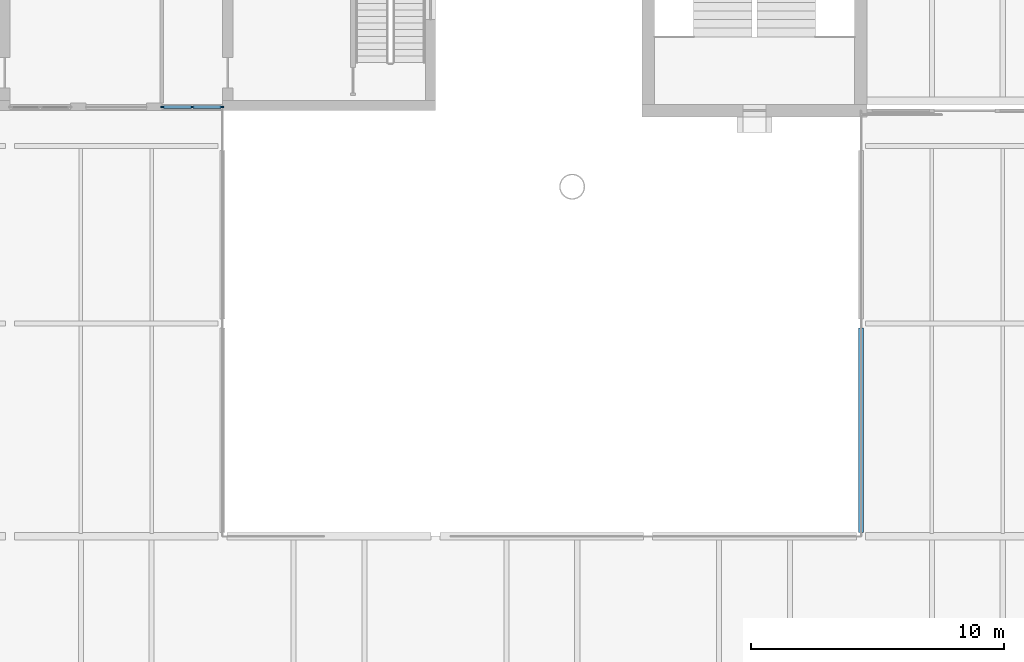
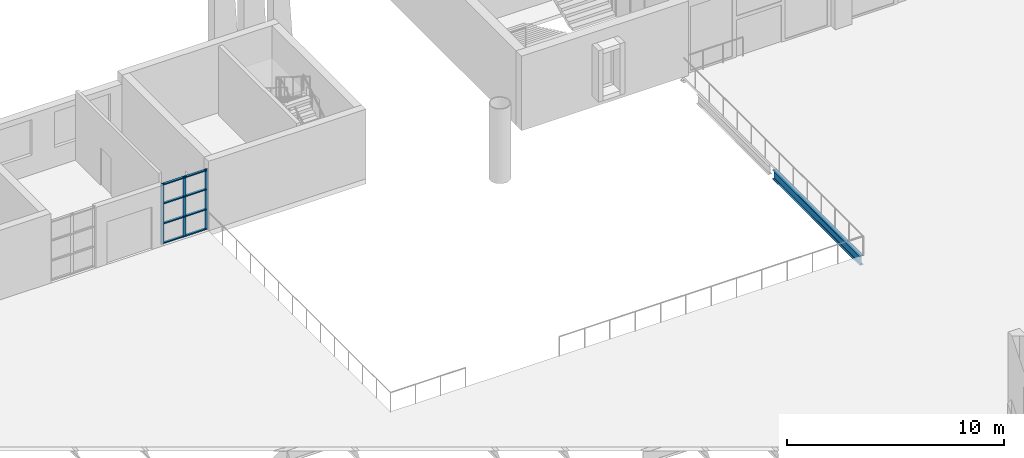
# One storey, part 22 of 96: 11 members, 1 beam, 1 element without a shape of its own.
"""IFC4 building model written with IfcOpenShell, lengths in metres."""

from ifc_helpers import new_model, si_unit, direction, frame, origin, origin_2d, place, context, subcontext, project, spatial, rectangle, i_section, extrude, material, material_profile, profile_set, type_object, element, aggregate, save


model = new_model("IFC4")

# Units and contexts
model_context = context("Model", 3, precision=1e-05, world=origin(), true_north=direction((0.0, 1.0)))
body_context = subcontext(model_context, "Body", "Model", "MODEL_VIEW")
ifc_project = project(units=[si_unit("LENGTHUNIT", "METRE"), si_unit("AREAUNIT", "SQUARE_METRE"), si_unit("VOLUMEUNIT", "CUBIC_METRE"), si_unit("PLANEANGLEUNIT", "RADIAN"), si_unit("MASSUNIT", "GRAM", prefix="KILO")], contexts=[model_context])

# Site, building, storey
site_placement = place(None, origin())
site = spatial("IfcSite", under=ifc_project, at=site_placement, CompositionType="ELEMENT")
building_placement = place(site_placement, origin())
building = spatial("IfcBuilding", under=site, at=building_placement, Name="Cresset Court Congress Hotel", CompositionType="ELEMENT")
storey_placement = place(building_placement, frame((0.0, 0.0, 6.0)))
storey = spatial("IfcBuildingStorey", under=building, at=storey_placement, Name="L01", CompositionType="ELEMENT", Elevation=6.0)

# Curtain wall, members
ifc_material_1 = material(Name="Aluminium frame with insulated glass", Category="aluminium")
curtain_wall_type = type_object("IfcCurtainWallType", Name="Curtain wall module 1200", PredefinedType="NOTDEFINED", material=ifc_material_1)
curtain_wall_placement = place(storey_placement, origin())
curtain_wall = element("IfcCurtainWall", 1, at=curtain_wall_placement, inside=storey, type_object=curtain_wall_type, Name="Curtain wall E2", PredefinedType="NOTDEFINED")
ifc_material_2 = material(Name="Aluminium", Category="aluminium")
ifc_material_profile_1 = material_profile(ifc_material_2, rectangle(XDim=0.1201171875, YDim=0.06005859375, at=origin_2d()), Name="AL 120x60")
ifc_profile_set_1 = profile_set([ifc_material_profile_1], Name="Aluminium")
member_type_1 = type_object("IfcMemberType", Name="CW transom RECT 120x60", PredefinedType="USERDEFINED", material=ifc_profile_set_1)
member_1_placement = place(storey_placement, frame((39.659912109375, 58.949951171875, 0.06005859375), z_axis=(1.0, 0.0, 0.0), x_axis=(0.0, 1.0, 0.0)))
member_1 = element("IfcMember", 2, at=member_1_placement, type_object=member_type_1, Name="D-X1 transom 1.1", ObjectType="TRANSOM", PredefinedType="USERDEFINED", context=body_context, shape_type="SweptSolid", body=[
    extrude(rectangle(XDim=0.1201171875, YDim=0.06005859375, at=origin_2d()), origin(), (0.0, 0.0, 1.0), 1.110107421875),
])
member_2_placement = place(storey_placement, frame((39.659912109375, 58.949951171875, 1.1630859375), z_axis=(1.0, 0.0, 0.0), x_axis=(0.0, 1.0, 0.0)))
member_2 = element("IfcMember", 3, at=member_2_placement, type_object=member_type_1, Name="D-X1 transom 1.2", ObjectType="TRANSOM", PredefinedType="USERDEFINED", context=body_context, shape_type="SweptSolid", body=[
    extrude(rectangle(XDim=0.1201171875, YDim=0.06005859375, at=origin_2d()), origin(), (0.0, 0.0, 1.0), 1.110107421875),
])
member_3_placement = place(storey_placement, frame((39.659912109375, 58.949951171875, 2.291015625), z_axis=(1.0, 0.0, 0.0), x_axis=(0.0, 1.0, 0.0)))
member_3 = element("IfcMember", 4, at=member_3_placement, type_object=member_type_1, Name="D-X1 transom 1.3", ObjectType="TRANSOM", PredefinedType="USERDEFINED", context=body_context, shape_type="SweptSolid", body=[
    extrude(rectangle(XDim=0.1201171875, YDim=0.06005859375, at=origin_2d()), origin(), (0.0, 0.0, 1.0), 1.110107421875),
])
member_4_placement = place(storey_placement, frame((39.659912109375, 58.949951171875, 3.360107421875), z_axis=(1.0, 0.0, 0.0), x_axis=(0.0, 1.0, 0.0)))
member_4 = element("IfcMember", 5, at=member_4_placement, type_object=member_type_1, Name="D-X1 transom 1.4", ObjectType="TRANSOM", PredefinedType="USERDEFINED", context=body_context, shape_type="SweptSolid", body=[
    extrude(rectangle(XDim=0.1201171875, YDim=0.06005859375, at=origin_2d()), origin(), (0.0, 0.0, 1.0), 1.110107421875),
])
member_5_placement = place(storey_placement, frame((40.830078125, 58.949951171875, 0.06005859375), z_axis=(1.0, 0.0, 0.0), x_axis=(0.0, 1.0, 0.0)))
member_5 = element("IfcMember", 6, at=member_5_placement, type_object=member_type_1, Name="D-X1 transom 2.1", ObjectType="TRANSOM", PredefinedType="USERDEFINED", context=body_context, shape_type="SweptSolid", body=[
    extrude(rectangle(XDim=0.1201171875, YDim=0.06005859375, at=origin_2d()), origin(), (0.0, 0.0, 1.0), 1.10986328125),
])
member_6_placement = place(storey_placement, frame((40.830078125, 58.949951171875, 1.1630859375), z_axis=(1.0, 0.0, 0.0), x_axis=(0.0, 1.0, 0.0)))
member_6 = element("IfcMember", 7, at=member_6_placement, type_object=member_type_1, Name="D-X1 transom 2.2", ObjectType="TRANSOM", PredefinedType="USERDEFINED", context=body_context, shape_type="SweptSolid", body=[
    extrude(rectangle(XDim=0.1201171875, YDim=0.06005859375, at=origin_2d()), origin(), (0.0, 0.0, 1.0), 1.10986328125),
])
member_7_placement = place(storey_placement, frame((40.830078125, 58.949951171875, 2.291015625), z_axis=(1.0, 0.0, 0.0), x_axis=(0.0, 1.0, 0.0)))
member_7 = element("IfcMember", 8, at=member_7_placement, type_object=member_type_1, Name="D-X1 transom 2.3", ObjectType="TRANSOM", PredefinedType="USERDEFINED", context=body_context, shape_type="SweptSolid", body=[
    extrude(rectangle(XDim=0.1201171875, YDim=0.06005859375, at=origin_2d()), origin(), (0.0, 0.0, 1.0), 1.10986328125),
])
member_8_placement = place(storey_placement, frame((40.830078125, 58.949951171875, 3.360107421875), z_axis=(1.0, 0.0, 0.0), x_axis=(0.0, 1.0, 0.0)))
member_8 = element("IfcMember", 9, at=member_8_placement, type_object=member_type_1, Name="D-X1 transom 2.4", ObjectType="TRANSOM", PredefinedType="USERDEFINED", context=body_context, shape_type="SweptSolid", body=[
    extrude(rectangle(XDim=0.1201171875, YDim=0.06005859375, at=origin_2d()), origin(), (0.0, 0.0, 1.0), 1.10986328125),
])
ifc_material_3 = material(Name="Anodised aluminium", Category="aluminium")
ifc_material_profile_2 = material_profile(ifc_material_3, rectangle(XDim=0.06005859375, YDim=0.159912109375, at=origin_2d()), Name="AL60x160")
ifc_profile_set_2 = profile_set([ifc_material_profile_2], Name="Anodised aluminium")
member_type_2 = type_object("IfcMemberType", Name="Curtain wall mullion 60x160", PredefinedType="MULLION", material=ifc_profile_set_2)
member_9_placement = place(storey_placement, frame((39.6298828125, 58.949951171875, 0.0), z_axis=(0.0, 0.0, 1.0), x_axis=(0.0, 1.0, 0.0)))
member_9 = element("IfcMember", 10, at=member_9_placement, type_object=member_type_2, Name="D-X1 mullion 1", PredefinedType="MULLION", context=body_context, shape_type="SweptSolid", body=[
    extrude(rectangle(XDim=0.06005859375, YDim=0.159912109375, at=origin_2d()), origin(), (0.0, 0.0, 1.0), 3.419921875),
])
member_10_placement = place(storey_placement, frame((40.800048828125, 58.949951171875, 0.0), z_axis=(0.0, 0.0, 1.0), x_axis=(0.0, 1.0, 0.0)))
member_10 = element("IfcMember", 11, at=member_10_placement, type_object=member_type_2, Name="D-X1 mullion 2", PredefinedType="MULLION", context=body_context, shape_type="SweptSolid", body=[
    extrude(rectangle(XDim=0.06005859375, YDim=0.159912109375, at=origin_2d()), origin(), (0.0, 0.0, 1.0), 3.419921875),
])
member_11_placement = place(storey_placement, frame((41.969970703125, 58.949951171875, 0.0), z_axis=(0.0, 0.0, 1.0), x_axis=(0.0, 1.0, 0.0)))
member_11 = element("IfcMember", 12, at=member_11_placement, type_object=member_type_2, Name="D-X1 mullion 3", PredefinedType="MULLION", context=body_context, shape_type="SweptSolid", body=[
    extrude(rectangle(XDim=0.06005859375, YDim=0.159912109375, at=origin_2d()), origin(), (0.0, 0.0, 1.0), 3.419921875),
])
aggregate(curtain_wall, [member_9, member_10, member_11, member_1, member_2, member_3, member_4, member_5, member_6, member_7, member_8])

# Beam
ifc_material_4 = material(Name="Structural steel Q355B", Category="steel")
ifc_material_profile_3 = material_profile(ifc_material_4, i_section(OverallWidth=0.199951171875, OverallDepth=0.5, WebThickness=0.010009765625, FlangeThickness=0.01611328125, FilletRadius=0.012939453125, at=origin_2d()), Name="HN500x200x10x16")
ifc_profile_set_3 = profile_set([ifc_material_profile_3], Name="Structural steel Q355B")
beam_type = type_object("IfcBeamType", Name="Steel beam HN500x200x10x16", PredefinedType="BEAM", material=ifc_profile_set_3)
beam_placement = place(storey_placement, frame((67.199951171875, 42.14990234375, -0.39990234375), z_axis=(0.0, 1.0, 0.0), x_axis=(-1.0, 0.0, 0.0)))
element("IfcBeam", 13, at=beam_placement, inside=storey, type_object=beam_type, Name="S.dbm.L01.P066", PredefinedType="BEAM", context=body_context, shape_type="SweptSolid", body=[
    extrude(i_section(OverallWidth=0.199951171875, OverallDepth=0.5, WebThickness=0.010009765625, FlangeThickness=0.01611328125, FilletRadius=0.012939453125, at=origin_2d()), origin(), (0.0, 0.0, 1.0), 8.0751953125),
])

save(model, "model.ifc")
